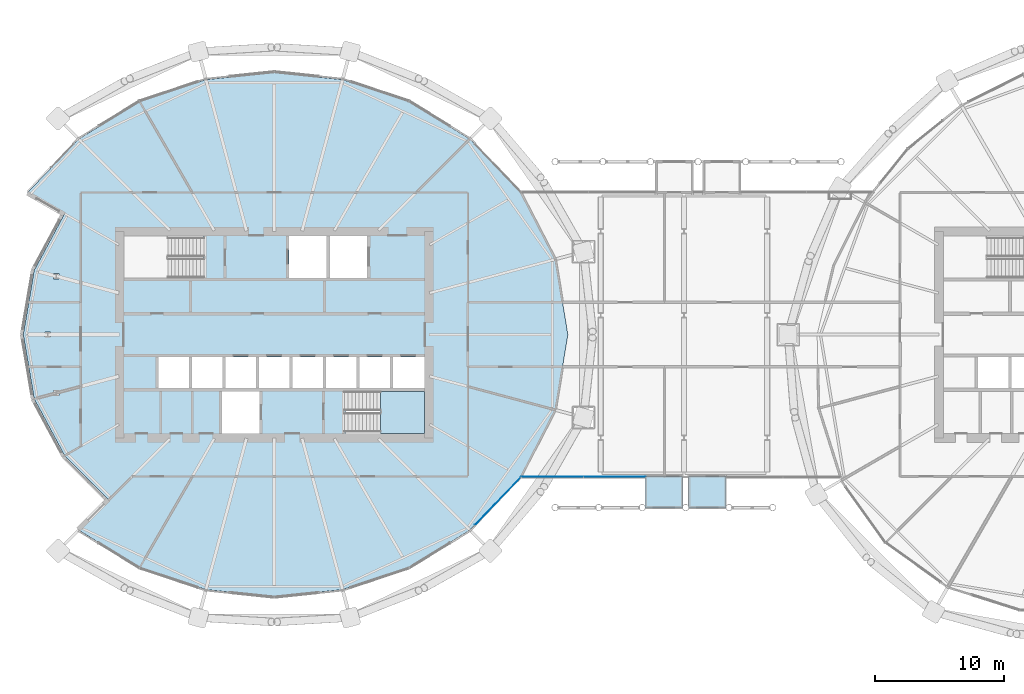
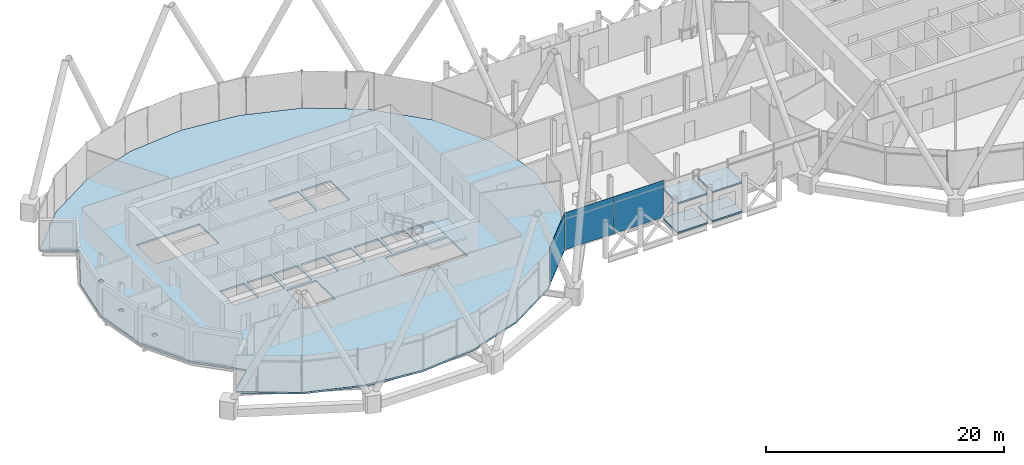
# One storey, part 20 of 35: 6 slabs, 3 plates, 3 elements without a shape of their own.
"""IFC4 building model written with IfcOpenShell, lengths in metres."""

from ifc_helpers import new_model, si_unit, direction, frame, origin, origin_2d, place, context, subcontext, project, spatial, polyline, rectangle, outline, extrude, material, layer, layer_set, type_object, element, aggregate, save


model = new_model("IFC4")

# Units and contexts
model_context = context("Model", 3, precision=1e-05, world=origin(), true_north=direction((0.0, 1.0)))
body_context = subcontext(model_context, "Body", "Model", "MODEL_VIEW")
ifc_project = project(units=[si_unit("LENGTHUNIT", "METRE"), si_unit("AREAUNIT", "SQUARE_METRE"), si_unit("VOLUMEUNIT", "CUBIC_METRE"), si_unit("PLANEANGLEUNIT", "RADIAN"), si_unit("MASSUNIT", "GRAM", prefix="KILO")], contexts=[model_context])

# Site, building, storey
site_placement = place(None, origin())
site = spatial("IfcSite", under=ifc_project, at=site_placement, CompositionType="ELEMENT")
building_placement = place(site_placement, origin())
building = spatial("IfcBuilding", under=site, at=building_placement, Name="Rimbun Link Towers", CompositionType="ELEMENT")
storey_placement = place(building_placement, frame((0.0, 0.0, 146.800048828125)))
storey = spatial("IfcBuildingStorey", under=building, at=storey_placement, Name="L35", CompositionType="ELEMENT", Elevation=146.800048828125)

# Slabs
ifc_material_1 = material(Name="Insulated metal floor panel on steel frame", Category="steel")
ifc_layer_1 = layer(ifc_material_1, 0.159912109375)
ifc_layer_set_1 = layer_set([ifc_layer_1], Name="CAPSULE floor panel 160")
slab_type_1 = type_object("IfcSlabType", Name="CAPSULE floor panel 160", PredefinedType="FLOOR", material=ifc_layer_set_1)
slab_1_placement = place(storey_placement, frame((0.0, 0.0, -0.219970703125)))
element("IfcSlab", 1, at=slab_1_placement, inside=storey, type_object=slab_type_1, Name="CAPSULE F35.11 floor panel", PredefinedType="FLOOR", context=body_context, shape_type="SweptSolid", body=[
    extrude(outline(polyline([(-0.105712890625, -11.0), (-3.005615234375, -11.0), (-3.005615234375, -13.449951171875), (-0.105712890625, -13.449951171875), (-0.105712890625, -11.0)])), origin(), (0.0, 0.0, 1.0), 0.159912109375),
])
slab_2_placement = place(storey_placement, frame((0.0, 0.0, -0.219970703125)))
element("IfcSlab", 2, at=slab_2_placement, inside=storey, type_object=slab_type_1, Name="CAPSULE F35.12 floor panel", PredefinedType="FLOOR", context=body_context, shape_type="SweptSolid", body=[
    extrude(outline(polyline([(3.26318359375, -11.0), (0.36328125, -11.0), (0.36328125, -13.449951171875), (3.26318359375, -13.449951171875), (3.26318359375, -11.0)])), origin(), (0.0, 0.0, 1.0), 0.159912109375),
])
ifc_material_2 = material(Name="Insulated metal roof panel with terracotta fascia", Category="masonry")
ifc_layer_2 = layer(ifc_material_2, 0.14990234375)
ifc_layer_set_2 = layer_set([ifc_layer_2], Name="CAPSULE roof panel 150")
slab_type_2 = type_object("IfcSlabType", Name="CAPSULE roof panel 150", PredefinedType="ROOF", material=ifc_layer_set_2)
slab_3_placement = place(storey_placement, frame((0.0, 0.0, 2.7900390625)))
element("IfcSlab", 3, at=slab_3_placement, inside=storey, type_object=slab_type_2, Name="CAPSULE F35.11 roof panel", PredefinedType="ROOF", context=body_context, shape_type="SweptSolid", body=[
    extrude(outline(polyline([(-3.005615234375, -13.449951171875), (-0.105712890625, -13.449951171875), (-0.105712890625, -10.949951171875), (-3.005615234375, -10.949951171875), (-3.005615234375, -13.449951171875)])), origin(), (0.0, 0.0, 1.0), 0.14990234375),
])
slab_4_placement = place(storey_placement, frame((0.0, 0.0, 2.7900390625)))
element("IfcSlab", 4, at=slab_4_placement, inside=storey, type_object=slab_type_2, Name="CAPSULE F35.12 roof panel", PredefinedType="ROOF", context=body_context, shape_type="SweptSolid", body=[
    extrude(outline(polyline([(0.36328125, -13.449951171875), (3.26318359375, -13.449951171875), (3.26318359375, -10.949951171875), (0.36328125, -10.949951171875), (0.36328125, -13.449951171875)])), origin(), (0.0, 0.0, 1.0), 0.14990234375),
])
ifc_material_3 = material(Name="Concrete C35/45", Category="concrete")
ifc_layer_3 = layer(ifc_material_3, 0.179931640625)
ifc_layer_set_3 = layer_set([ifc_layer_3], Name="COMPOSITE FLOOR 180")
slab_type_3 = type_object("IfcSlabType", Name="COMPOSITE FLOOR 180", PredefinedType="FLOOR", material=ifc_layer_set_3)
slab_5_placement = place(storey_placement, frame((0.0, 0.0, -0.179931640625)))
element("IfcSlab", 5, at=slab_5_placement, inside=storey, type_object=slab_type_3, Name="Floor slab T1 L35", PredefinedType="FLOOR", context=body_context, shape_type="SweptSolid", body=[
    extrude(outline(polyline([(-46.904296875, 15.154296875), (-42.175537109375, 18.0576171875), (-37.044189453125, 19.758056640625), (-31.75, 20.315673828125), (-26.455810546875, 19.758056640625), (-21.324462890625, 18.0576171875), (-16.595703125, 15.154296875), (-12.643310546875, 11.03125), (-9.956787109375, 5.839599609375), (-8.99658203125, 0.0), (-9.956787109375, -5.839599609375), (-12.643310546875, -11.03125), (-16.595703125, -15.154296875), (-21.324462890625, -18.0576171875), (-26.455810546875, -19.758056640625), (-31.75, -20.315673828125), (-37.044189453125, -19.758056640625), (-42.175537109375, -18.0576171875), (-46.904296875, -15.154296875), (-44.57080078125, -12.82080078125), (-47.9990234375, -9.38134765625), (-50.355712890625, -4.9853515625), (-51.20361328125, 0.0), (-50.355712890625, 4.9853515625), (-47.9990234375, 9.38134765625), (-50.856689453125, 11.03125), (-46.904296875, 15.154296875)]), holes=[polyline([(-32.89990234375, -7.64990234375), (-32.89990234375, -4.39990234375), (-35.800048828125, -4.39990234375), (-35.800048828125, -7.64990234375), (-32.89990234375, -7.64990234375)]), polyline([(-48.439453125, -4.72216796875), (-48.439453125, -4.32861328125), (-48.83837890625, -4.32861328125), (-48.83837890625, -4.72216796875), (-48.439453125, -4.72216796875)]), polyline([(-38.361083984375, -4.14990234375), (-38.361083984375, -1.75), (-40.70556640625, -1.75), (-40.70556640625, -4.14990234375), (-38.361083984375, -4.14990234375)]), polyline([(-35.7666015625, -4.14990234375), (-35.7666015625, -1.75), (-38.111083984375, -1.75), (-38.111083984375, -4.14990234375), (-35.7666015625, -4.14990234375)]), polyline([(-33.172119140625, -4.14990234375), (-33.172119140625, -1.75), (-35.5166015625, -1.75), (-35.5166015625, -4.14990234375), (-33.172119140625, -4.14990234375)]), polyline([(-49.0986328125, -0.19677734375), (-49.0986328125, 0.19677734375), (-49.497802734375, 0.19677734375), (-49.497802734375, -0.19677734375), (-49.0986328125, -0.19677734375)]), polyline([(-48.439453125, 4.32861328125), (-48.439453125, 4.72216796875), (-48.83837890625, 4.72216796875), (-48.83837890625, 4.32861328125), (-48.439453125, 4.32861328125)]), polyline([(-37.260009765625, 4.39990234375), (-37.260009765625, 7.64990234375), (-43.39990234375, 7.64990234375), (-43.39990234375, 4.39990234375), (-37.260009765625, 4.39990234375)]), polyline([(-20.10009765625, -7.64990234375), (-20.10009765625, -4.39990234375), (-26.239990234375, -4.39990234375), (-26.239990234375, -7.64990234375), (-20.10009765625, -7.64990234375)]), polyline([(-30.577880859375, -4.14990234375), (-30.577880859375, -1.75), (-32.922119140625, -1.75), (-32.922119140625, -4.14990234375), (-30.577880859375, -4.14990234375)]), polyline([(-27.9833984375, -4.14990234375), (-27.9833984375, -1.75), (-30.327880859375, -1.75), (-30.327880859375, -4.14990234375), (-27.9833984375, -4.14990234375)]), polyline([(-25.388916015625, -4.14990234375), (-25.388916015625, -1.75), (-27.7333984375, -1.75), (-27.7333984375, -4.14990234375), (-25.388916015625, -4.14990234375)]), polyline([(-22.79443359375, -4.14990234375), (-22.79443359375, -1.75), (-25.138916015625, -1.75), (-25.138916015625, -4.14990234375), (-22.79443359375, -4.14990234375)]), polyline([(-20.10009765625, -4.14990234375), (-20.10009765625, -1.75), (-22.54443359375, -1.75), (-22.54443359375, -4.14990234375), (-20.10009765625, -4.14990234375)]), polyline([(-27.699951171875, 4.39990234375), (-27.699951171875, 7.64990234375), (-30.60009765625, 7.64990234375), (-30.60009765625, 4.39990234375), (-27.699951171875, 4.39990234375)]), polyline([(-24.550048828125, 4.39990234375), (-24.550048828125, 7.64990234375), (-27.449951171875, 7.64990234375), (-27.449951171875, 4.39990234375), (-24.550048828125, 4.39990234375)])]), origin(), (0.0, 0.0, 1.0), 0.179931640625),
])

# Curtain wall, plate
ifc_material_4 = material(Name="Aluminium 6063-T6 and low-iron glass", Category="aluminium")
curtain_wall_type = type_object("IfcCurtainWallType", Name="CW4 link block wall", PredefinedType="NOTDEFINED", material=ifc_material_4)
curtain_wall_1_placement = place(storey_placement, origin())
curtain_wall_1 = element("IfcCurtainWall", 6, at=curtain_wall_1_placement, inside=storey, type_object=curtain_wall_type, Name="CW4 L35 T1", PredefinedType="NOTDEFINED")
ifc_material_5 = material(Name="Low-iron glass, laminated low-e unit", Category="glass")
ifc_layer_4 = layer(ifc_material_5, 0.028076171875)
ifc_layer_set_4 = layer_set([ifc_layer_4], Name="CW4 panel Low-iron glass 28")
plate_type = type_object("IfcPlateType", Name="CW4 panel Low-iron glass 28", PredefinedType="CURTAIN_PANEL", material=ifc_layer_set_4)
plate_1_placement = place(storey_placement, frame((-14.419189453125, -12.90380859375, 0.0), z_axis=(0.0, 0.0, 1.0), x_axis=(-0.692041109252, -0.721858090698, 0.0)))
plate_1 = element("IfcPlate", 7, at=plate_1_placement, type_object=plate_type, Name="CW4 panel", PredefinedType="CURTAIN_PANEL", context=body_context, shape_type="SweptSolid", body=[
    extrude(rectangle(XDim=5.12158203125, YDim=0.028076171875, at=origin_2d()), origin(), (0.0, 0.0, 1.0), 3.800048828125),
])
aggregate(curtain_wall_1, [plate_1])

# Curtain wall, plates
curtain_wall_2_placement = place(storey_placement, origin())
curtain_wall_2 = element("IfcCurtainWall", 8, at=curtain_wall_2_placement, inside=storey, type_object=curtain_wall_type, Name="CW4 L35 LB", PredefinedType="NOTDEFINED")
plate_2_placement = place(storey_placement, frame((-5.37353515625, -11.013916015625, 0.0), z_axis=(0.0, 0.0, 1.0), x_axis=(-1.0, 0.0, 0.0)))
plate_2 = element("IfcPlate", 9, at=plate_2_placement, type_object=plate_type, Name="CW4 panel", PredefinedType="CURTAIN_PANEL", context=body_context, shape_type="SweptSolid", body=[
    extrude(rectangle(XDim=4.795654296875, YDim=0.028076171875, at=origin_2d()), origin(), (0.0, 0.0, 1.0), 3.800048828125),
])
plate_3_placement = place(storey_placement, frame((-10.209228515625, -11.013916015625, 0.0), z_axis=(0.0, 0.0, 1.0), x_axis=(-1.0, 0.0, 0.0)))
plate_3 = element("IfcPlate", 10, at=plate_3_placement, type_object=plate_type, Name="CW4 panel", PredefinedType="CURTAIN_PANEL", context=body_context, shape_type="SweptSolid", body=[
    extrude(rectangle(XDim=4.795654296875, YDim=0.028076171875, at=origin_2d()), origin(), (0.0, 0.0, 1.0), 3.800048828125),
])
aggregate(curtain_wall_2, [plate_2, plate_3])

# Stair, slab
ifc_material_6 = material(Name="Concrete C40/50", Category="concrete")
stair_type = type_object("IfcStairType", Name="Exit stair 3800 rise", PredefinedType="HALF_TURN_STAIR", material=ifc_material_6)
stair_placement = place(storey_placement, origin())
stair = element("IfcStair", 11, at=stair_placement, inside=storey, type_object=stair_type, Name="L35 EXIT STAIR B", PredefinedType="HALF_TURN_STAIR")
ifc_material_7 = material(Name="Concrete C40/50", Category="concrete")
ifc_layer_5 = layer(ifc_material_7, 0.199951171875)
ifc_layer_set_5 = layer_set([ifc_layer_5], Name="Stair landing")
slab_type_4 = type_object("IfcSlabType", Name="Stair landing", PredefinedType="LANDING", material=ifc_layer_set_5)
slab_6_placement = place(storey_placement, frame((0.0, 0.0, 1.699951171875)))
slab_6 = element("IfcSlab", 12, at=slab_6_placement, type_object=slab_type_4, Name="ST2 landing 1", PredefinedType="LANDING", context=body_context, shape_type="SweptSolid", body=[
    extrude(outline(polyline([(-23.5, -7.64990234375), (-20.10009765625, -7.64990234375), (-20.10009765625, -4.39990234375), (-23.5, -4.39990234375), (-23.5, -7.64990234375)])), origin(), (0.0, 0.0, 1.0), 0.199951171875),
])
aggregate(stair, [slab_6])

save(model, "model.ifc")
